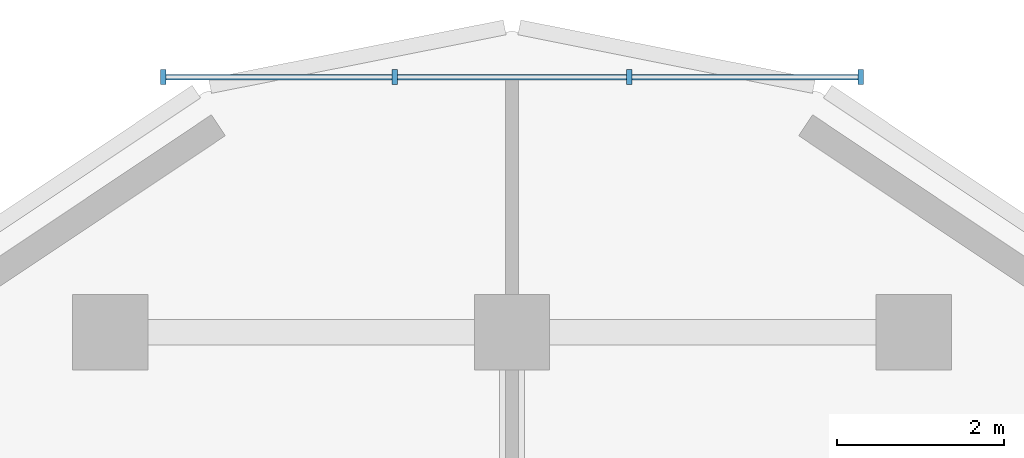
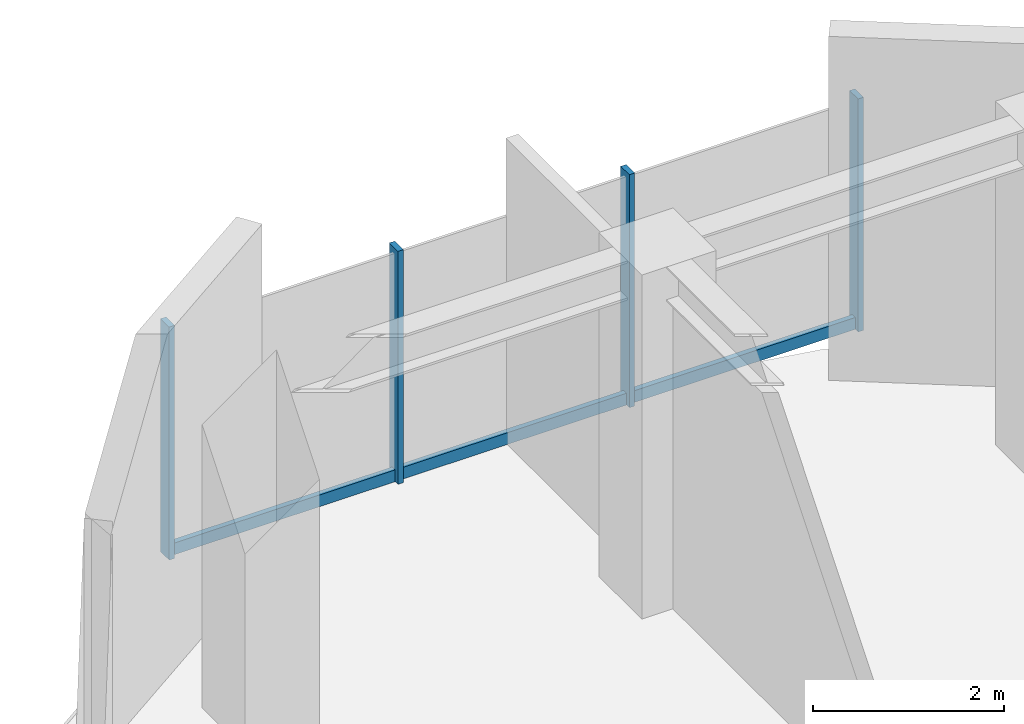
# One storey, part 4 of 11: 7 members, 1 element without a shape of its own.
"""IFC4 building model written with IfcOpenShell, lengths in metres."""

from ifc_helpers import new_model, si_unit, direction, frame, origin, origin_2d, place, context, subcontext, project, spatial, rectangle, extrude, source, transform, mapped, material, material_profile, profile_set, type_object, element, aggregate, save


model = new_model("IFC4")

# Units and contexts
model_context = context("Model", 3, precision=1e-05, world=origin(), true_north=direction((0.0, 1.0)))
body_context = subcontext(model_context, "Body", "Model", "MODEL_VIEW")
ifc_project = project(units=[si_unit("LENGTHUNIT", "METRE"), si_unit("AREAUNIT", "SQUARE_METRE"), si_unit("VOLUMEUNIT", "CUBIC_METRE"), si_unit("PLANEANGLEUNIT", "RADIAN"), si_unit("MASSUNIT", "GRAM", prefix="KILO")], contexts=[model_context])

# Site, building, storey
site_placement = place(None, origin())
site = spatial("IfcSite", under=ifc_project, at=site_placement, CompositionType="ELEMENT")
building_placement = place(site_placement, origin())
building = spatial("IfcBuilding", under=site, at=building_placement, Name="Keilestroom Media Tower", CompositionType="ELEMENT")
storey_placement = place(building_placement, frame((0.0, 0.0, 151.60009765625)))
storey = spatial("IfcBuildingStorey", under=building, at=storey_placement, Name="L41", CompositionType="ELEMENT", Elevation=151.60009765625)

# Curtain wall, members
ifc_material = material(Name="Anodised Aluminium Alloy", Category="aluminium")
curtain_wall_type = type_object("IfcCurtainWallType", Name="Unitised-Curtain-Wall-CW-6", PredefinedType="NOTDEFINED", material=ifc_material)
curtain_wall_placement = place(storey_placement, origin())
curtain_wall = element("IfcCurtainWall", 1, at=curtain_wall_placement, inside=storey, type_object=curtain_wall_type, Name="L41 Curtain Wall CW-6 CW-L41-N", PredefinedType="NOTDEFINED")
ifc_material_profile_1 = material_profile(ifc_material, rectangle(XDim=0.06494140625, YDim=0.14990234375, at=origin_2d()), Name="ALU TRANSOM 65x150")
ifc_profile_set_1 = profile_set([ifc_material_profile_1], Name="Anodised Aluminium Alloy")
member_type_1 = type_object("IfcMemberType", Name="Curtain-Wall-Transom-CW-6", PredefinedType="USERDEFINED", material=ifc_profile_set_1)
shared_shape_1 = source(origin(), body_context, "Body", "SweptSolid", [
    extrude(rectangle(XDim=0.06494140625, YDim=0.14990234375, at=origin_2d()), origin(), (0.0, 0.0, 1.0), 2.70654296875),
])
member_1_placement = place(storey_placement, frame((-4.136962890625, 24.64990234375, 0.074951171875), z_axis=(1.0, 0.0, 0.0), x_axis=(0.0, 1.0, 0.0)))
member_1 = element("IfcMember", 2, at=member_1_placement, type_object=member_type_1, Name="CW-6 Transom 00.1", ObjectType="TRANSOM", PredefinedType="USERDEFINED", context=body_context, shape_type="MappedRepresentation", body=[
    mapped(shared_shape_1, transform((0.0, 0.0, 0.0), x_axis=(1.0, 0.0, 0.0), y_axis=(0.0, 1.0, 0.0), z_axis=(0.0, 0.0, 1.0), scale=1.0)),
])
member_2_placement = place(storey_placement, frame((1.430419921875, 24.64990234375, 0.074951171875), z_axis=(1.0, 0.0, 0.0), x_axis=(0.0, 1.0, 0.0)))
member_2 = element("IfcMember", 3, at=member_2_placement, type_object=member_type_1, Name="CW-6 Transom 02.1", ObjectType="TRANSOM", PredefinedType="USERDEFINED", context=body_context, shape_type="MappedRepresentation", body=[
    mapped(shared_shape_1, transform((0.0, 0.0, 0.0), x_axis=(1.0, 0.0, 0.0), y_axis=(0.0, 1.0, 0.0), z_axis=(0.0, 0.0, 1.0), scale=1.0)),
])
shared_shape_2 = source(origin(), body_context, "Body", "SweptSolid", [
    extrude(rectangle(XDim=0.06494140625, YDim=0.14990234375, at=origin_2d()), origin(), (0.0, 0.0, 1.0), 2.73876953125),
])
member_3_placement = place(storey_placement, frame((-1.369384765625, 24.64990234375, 0.074951171875), z_axis=(1.0, 0.0, 0.0), x_axis=(0.0, 1.0, 0.0)))
member_3 = element("IfcMember", 4, at=member_3_placement, type_object=member_type_1, Name="CW-6 Transom 01.1", ObjectType="TRANSOM", PredefinedType="USERDEFINED", context=body_context, shape_type="MappedRepresentation", body=[
    mapped(shared_shape_2, transform((0.0, 0.0, 0.0), x_axis=(1.0, 0.0, 0.0), y_axis=(0.0, 1.0, 0.0), z_axis=(0.0, 0.0, 1.0), scale=1.0)),
])
ifc_material_profile_2 = material_profile(ifc_material, rectangle(XDim=0.06494140625, YDim=0.179931640625, at=origin_2d()), Name="ALU MULLION 65x180")
ifc_profile_set_2 = profile_set([ifc_material_profile_2], Name="Anodised Aluminium Alloy")
member_type_2 = type_object("IfcMemberType", Name="Curtain-Wall-Mullion-CW-6", PredefinedType="MULLION", material=ifc_profile_set_2)
shared_shape_3 = source(origin(), body_context, "Body", "SweptSolid", [
    extrude(rectangle(XDim=0.06494140625, YDim=0.179931640625, at=origin_2d()), origin(), (0.0, 0.0, 1.0), 2.97998046875),
])
member_4_placement = place(storey_placement, frame((-4.16748046875, 24.64990234375, 0.0), z_axis=(0.0, 0.0, 1.0), x_axis=(1.0, 0.0, 0.0)))
member_4 = element("IfcMember", 5, at=member_4_placement, type_object=member_type_2, Name="CW-6 Mullion 00", PredefinedType="MULLION", context=body_context, shape_type="MappedRepresentation", body=[
    mapped(shared_shape_3, transform((0.0, 0.0, 0.0), x_axis=(1.0, 0.0, 0.0), y_axis=(0.0, 1.0, 0.0), z_axis=(0.0, 0.0, 1.0), scale=1.0)),
])
member_5_placement = place(storey_placement, frame((-1.39990234375, 24.64990234375, 0.0), z_axis=(0.0, 0.0, 1.0), x_axis=(1.0, 0.0, 0.0)))
member_5 = element("IfcMember", 6, at=member_5_placement, type_object=member_type_2, Name="CW-6 Mullion 01", PredefinedType="MULLION", context=body_context, shape_type="MappedRepresentation", body=[
    mapped(shared_shape_3, transform((0.0, 0.0, 0.0), x_axis=(1.0, 0.0, 0.0), y_axis=(0.0, 1.0, 0.0), z_axis=(0.0, 0.0, 1.0), scale=1.0)),
])
member_6_placement = place(storey_placement, frame((1.39990234375, 24.64990234375, 0.0), z_axis=(0.0, 0.0, 1.0), x_axis=(1.0, 0.0, 0.0)))
member_6 = element("IfcMember", 7, at=member_6_placement, type_object=member_type_2, Name="CW-6 Mullion 02", PredefinedType="MULLION", context=body_context, shape_type="MappedRepresentation", body=[
    mapped(shared_shape_3, transform((0.0, 0.0, 0.0), x_axis=(1.0, 0.0, 0.0), y_axis=(0.0, 1.0, 0.0), z_axis=(0.0, 0.0, 1.0), scale=1.0)),
])
member_7_placement = place(storey_placement, frame((4.16748046875, 24.64990234375, 0.0), z_axis=(0.0, 0.0, 1.0), x_axis=(1.0, 0.0, 0.0)))
member_7 = element("IfcMember", 8, at=member_7_placement, type_object=member_type_2, Name="CW-6 Mullion 03", PredefinedType="MULLION", context=body_context, shape_type="MappedRepresentation", body=[
    mapped(shared_shape_3, transform((0.0, 0.0, 0.0), x_axis=(1.0, 0.0, 0.0), y_axis=(0.0, 1.0, 0.0), z_axis=(0.0, 0.0, 1.0), scale=1.0)),
])
aggregate(curtain_wall, [member_4, member_5, member_6, member_7, member_1, member_3, member_2])

save(model, "model.ifc")
